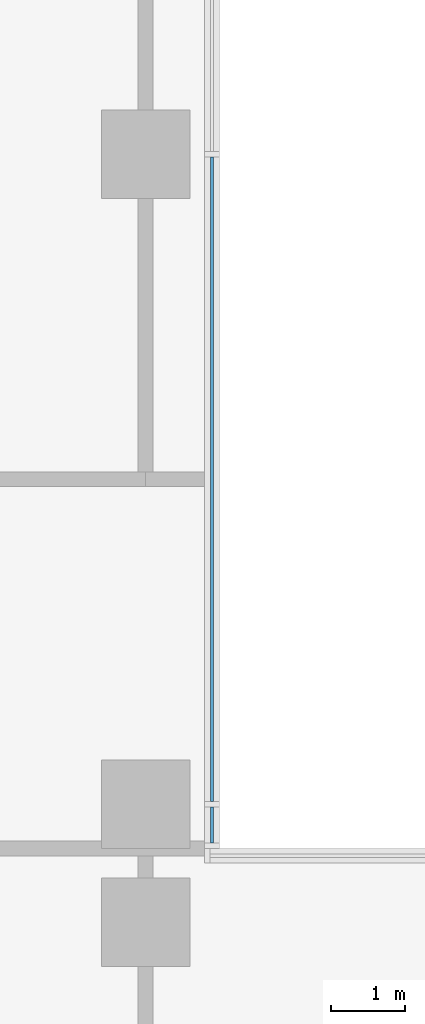
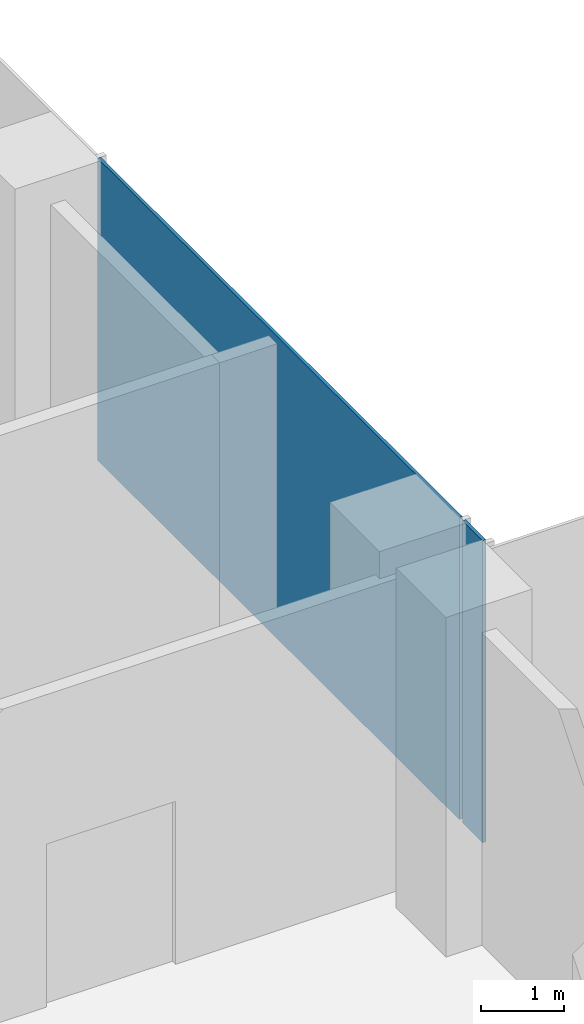
# One storey, part 13 of 30: 2 plates, 1 element without a shape of its own.
"""IFC4 building model written with IfcOpenShell, lengths in metres."""

from ifc_helpers import new_model, si_unit, direction, frame, origin, origin_2d, place, context, subcontext, project, spatial, rectangle, extrude, source, transform, mapped, material, layer, layer_set, type_object, element, aggregate, save


model = new_model("IFC4")

# Units and contexts
model_context = context("Model", 3, precision=1e-05, world=origin(), true_north=direction((0.0, 1.0)))
body_context = subcontext(model_context, "Body", "Model", "MODEL_VIEW")
ifc_project = project(units=[si_unit("LENGTHUNIT", "METRE"), si_unit("AREAUNIT", "SQUARE_METRE"), si_unit("VOLUMEUNIT", "CUBIC_METRE"), si_unit("PLANEANGLEUNIT", "RADIAN"), si_unit("MASSUNIT", "GRAM", prefix="KILO")], contexts=[model_context])

# Site, building, storey
site_placement = place(None, origin())
site = spatial("IfcSite", under=ifc_project, at=site_placement, CompositionType="ELEMENT")
building_placement = place(site_placement, origin())
building = spatial("IfcBuilding", under=site, at=building_placement, Name="Kemantara Hotel Tower", CompositionType="ELEMENT")
storey_placement = place(building_placement, frame((0.0, 0.0, 13.0)))
storey = spatial("IfcBuildingStorey", under=building, at=storey_placement, Name="L02", CompositionType="ELEMENT", Elevation=13.0)

# Curtain wall, plates
ifc_material = material(Name="Laminated tinted insulated glass 44 mm", Category="glass")
curtain_wall_type = type_object("IfcCurtainWallType", Name="PODIUM GLASS CURTAIN WALL", PredefinedType="USERDEFINED", material=ifc_material)
curtain_wall_placement = place(storey_placement, origin())
curtain_wall = element("IfcCurtainWall", 1, at=curtain_wall_placement, inside=storey, type_object=curtain_wall_type, Name="CW1 L02 POD-R08-1", ObjectType="PODIUM GLASS CURTAIN WALL", PredefinedType="USERDEFINED")
ifc_layer = layer(ifc_material, 0.0439453125)
ifc_layer_set = layer_set([ifc_layer], Name="Laminated tinted insulated glass 44 mm")
plate_type = type_object("IfcPlateType", Name="PODIUM GLASS CURTAIN WALL PANEL", PredefinedType="CURTAIN_PANEL", material=ifc_layer_set)
shared_shape_1 = source(origin(), body_context, "Body", "SweptSolid", [
    extrude(rectangle(XDim=8.72509765625, YDim=0.0439453125, at=origin_2d()), origin(), (0.0, 0.0, 1.0), 4.449951171875),
])
plate_1_placement = place(storey_placement, frame((63.5, 31.800048828125, 0.14990234375), z_axis=(0.0, 0.0, 1.0), x_axis=(0.0, 1.0, 0.0)))
plate_1 = element("IfcPlate", 2, at=plate_1_placement, type_object=plate_type, Name="CW1 glass panel POD-R08-1.2", PredefinedType="CURTAIN_PANEL", context=body_context, shape_type="MappedRepresentation", body=[
    mapped(shared_shape_1, transform((0.0, 0.0, 0.0))),
])
shared_shape_2 = source(origin(), body_context, "Body", "SweptSolid", [
    extrude(rectangle(XDim=0.487548828125, YDim=0.0439453125, at=origin_2d()), origin(), (0.0, 0.0, 1.0), 4.449951171875),
])
plate_2_placement = place(storey_placement, frame((63.5, 27.11865234375, 0.14990234375), z_axis=(0.0, 0.0, 1.0), x_axis=(0.0, 1.0, 0.0)))
plate_2 = element("IfcPlate", 3, at=plate_2_placement, type_object=plate_type, Name="CW1 glass panel POD-R08-1.1", PredefinedType="CURTAIN_PANEL", context=body_context, shape_type="MappedRepresentation", body=[
    mapped(shared_shape_2, transform((0.0, 0.0, 0.0))),
])
aggregate(curtain_wall, [plate_2, plate_1])

save(model, "model.ifc")
